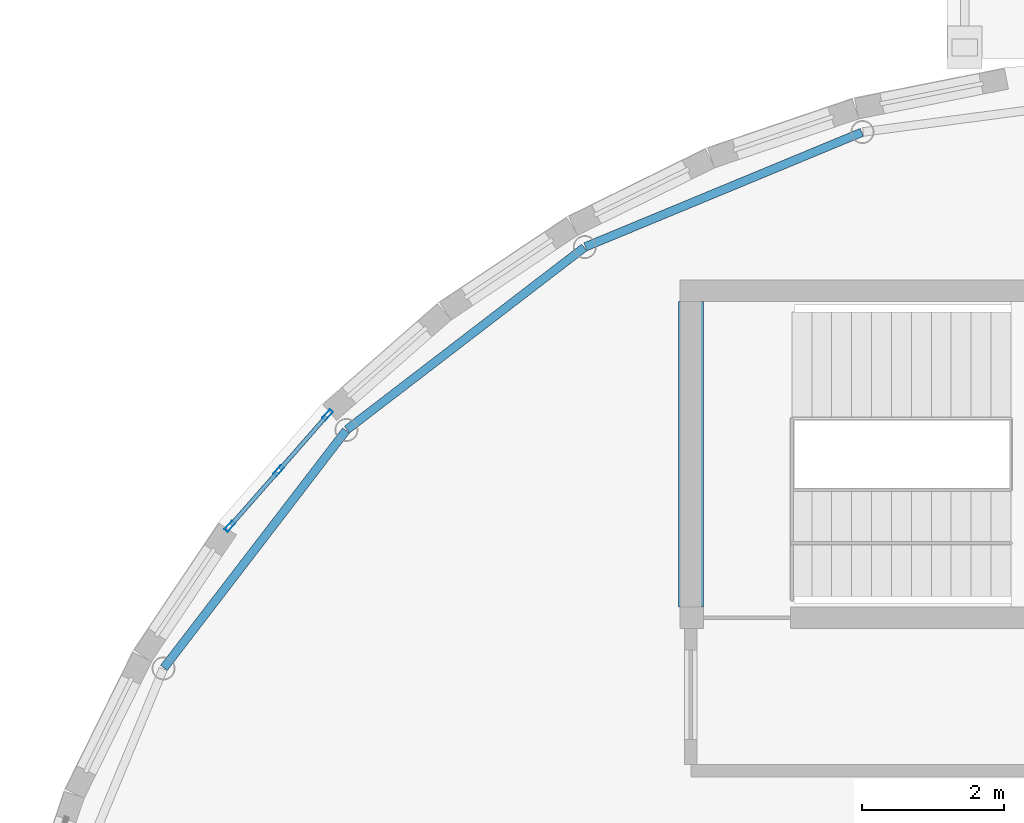
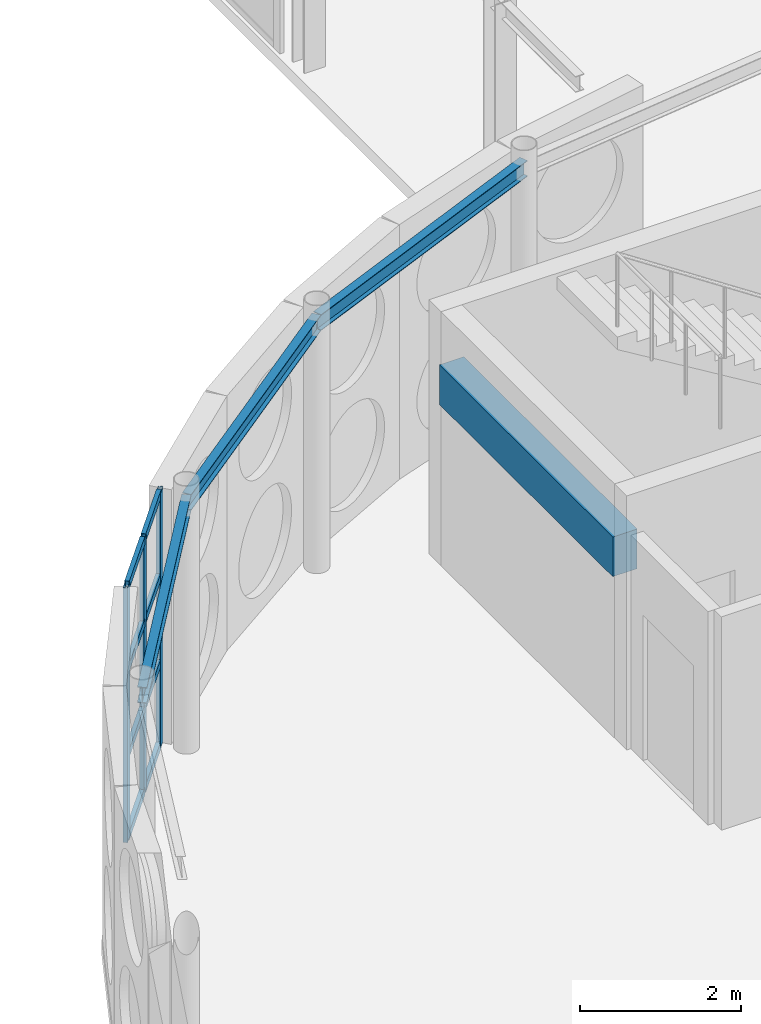
# One storey, part 52 of 189: 11 members, 4 beams, 1 element without a shape of its own.
"""IFC4 building model written with IfcOpenShell, lengths in metres."""

from ifc_helpers import new_model, si_unit, direction, frame, origin, origin_2d, place, context, subcontext, project, spatial, rectangle, hollow_rectangle, i_section, extrude, material, layer, layer_set, material_profile, profile_set, type_object, element, aggregate, save


model = new_model("IFC4")

# Units and contexts
model_context = context("Model", 3, precision=1e-05, world=origin(), true_north=direction((0.0, 1.0)))
body_context = subcontext(model_context, "Body", "Model", "MODEL_VIEW")
ifc_project = project(units=[si_unit("LENGTHUNIT", "METRE"), si_unit("AREAUNIT", "SQUARE_METRE"), si_unit("VOLUMEUNIT", "CUBIC_METRE"), si_unit("PLANEANGLEUNIT", "RADIAN"), si_unit("MASSUNIT", "GRAM", prefix="KILO")], contexts=[model_context])

# Site, building, storey
site_placement = place(None, origin())
site = spatial("IfcSite", under=ifc_project, at=site_placement, CompositionType="ELEMENT")
building_placement = place(site_placement, origin())
building = spatial("IfcBuilding", under=site, at=building_placement, Name="Montecoro Central Library", CompositionType="ELEMENT")
storey_placement = place(building_placement, frame((0.0, 0.0, 9.179931640625)))
storey = spatial("IfcBuildingStorey", under=building, at=storey_placement, Name="L02", CompositionType="ELEMENT", Elevation=9.179931640625)

# Beams
ifc_material_1 = material(Name="Concrete C35/45", Category="concrete")
ifc_material_profile_1 = material_profile(ifc_material_1, rectangle(XDim=0.35009765625, YDim=0.60009765625, at=origin_2d()), Name="RC LNT 600x350")
ifc_profile_set_1 = profile_set([ifc_material_profile_1], Name="Concrete C35/45")
beam_type_1 = type_object("IfcBeamType", Name="BM-LN-RC01", PredefinedType="LINTEL", material=ifc_profile_set_1)
beam_1_placement = place(storey_placement, frame((85.0, 44.35009765625, 2.75), z_axis=(0.0, 1.0, 0.0), x_axis=(-1.0, 0.0, 0.0)))
element("IfcBeam", 1, at=beam_1_placement, inside=storey, type_object=beam_type_1, Name="C1-L02-LNT", PredefinedType="LINTEL", context=body_context, shape_type="SweptSolid", body=[
    extrude(rectangle(XDim=0.35009765625, YDim=0.60009765625, at=origin_2d()), origin(), (0.0, 0.0, 1.0), 4.2998046875),
])
ifc_material_2 = material(Name="Steel S355", Category="steel")
ifc_material_profile_2 = material_profile(ifc_material_2, i_section(OverallWidth=0.1201171875, OverallDepth=0.239990234375, WebThickness=0.006103515625, FlangeThickness=0.009765625, at=origin_2d()), Name="IPE 240")
ifc_profile_set_2 = profile_set([ifc_material_profile_2], Name="Steel S355")
beam_type_2 = type_object("IfcBeamType", Name="BM-SP-IPE240", PredefinedType="SPANDREL", material=ifc_profile_set_2)
beam_2_placement = place(storey_placement, frame((87.403076171875, 51.02490234375, 3.705078125), z_axis=(-0.923873856706, -0.382697134684, 0.0), x_axis=(0.382697134684, -0.923873856706, 0.0)))
element("IfcBeam", 2, at=beam_2_placement, inside=storey, type_object=beam_type_2, Name="V1-L02-RING-08", PredefinedType="SPANDREL", context=body_context, shape_type="SweptSolid", body=[
    extrude(i_section(OverallWidth=0.1201171875, OverallDepth=0.239990234375, WebThickness=0.006103515625, FlangeThickness=0.009765625, at=origin_2d()), origin(), (0.0, 0.0, 1.0), 4.2041015625),
])
for number, where, z_axis, x_axis, name in (
    (3, (83.501953125, 49.406005859375, 3.705078125), (-0.793344551064, -0.608772883181, 0.0), (0.608772883181, -0.793344551064, 0.0), "V1-L02-RING-09"),
    (4, (80.153076171875, 46.8330078125, 3.705078125), (-0.608772883181, -0.793344551064, 0.0), (0.793344551064, -0.608772883181, 0.0), "V1-L02-RING-10"),
):
    element("IfcBeam", number, at=place(storey_placement, frame(where, z_axis=z_axis, x_axis=x_axis)), inside=storey, type_object=beam_type_2, Name=name, PredefinedType="SPANDREL", context=body_context, shape_type="SweptSolid", body=[
        extrude(i_section(OverallWidth=0.1201171875, OverallDepth=0.239990234375, WebThickness=0.006103515625, FlangeThickness=0.009765625, at=origin_2d()), origin(), (0.0, 0.0, 1.0), 4.20361328125),
    ])

# Curtain wall, members
ifc_material_3 = material(Name="Bronze-anodised aluminium and low-E glazing", Category="aluminium")
ifc_layer = layer(ifc_material_3, 0.159912109375)
ifc_layer_set = layer_set([ifc_layer], Name="Bronze-anodised aluminium and low-E glazing")
curtain_wall_type = type_object("IfcCurtainWallType", Name="CWT-004", PredefinedType="NOTDEFINED", material=ifc_layer_set)
curtain_wall_placement = place(storey_placement, origin())
curtain_wall = element("IfcCurtainWall", 5, at=curtain_wall_placement, inside=storey, type_object=curtain_wall_type, Name="V1-L02-CW-19", PredefinedType="NOTDEFINED")
ifc_material_4 = material(Name="Bronze-anodised aluminium", Category="aluminium")
ifc_material_profile_3 = material_profile(ifc_material_4, hollow_rectangle(XDim=0.06005859375, YDim=0.159912109375, WallThickness=0.00390625, at=origin_2d()), Name="CWM 160x60x4.0")
ifc_profile_set_3 = profile_set([ifc_material_profile_3], Name="Bronze-anodised aluminium")
member_type_1 = type_object("IfcMemberType", Name="CWM-BRZ-60", PredefinedType="MULLION", material=ifc_profile_set_3)
member_1_placement = place(storey_placement, frame((79.894287109375, 47.052490234375, 0.0), z_axis=(0.0, 0.0, 1.0), x_axis=(0.751536059457, -0.659692012485, 0.0)))
member_1 = element("IfcMember", 6, at=member_1_placement, type_object=member_type_1, Name="CW-004 mullion 1", PredefinedType="MULLION", context=body_context, shape_type="SweptSolid", body=[
    extrude(hollow_rectangle(XDim=0.06005859375, YDim=0.159912109375, WallThickness=0.00390625, at=origin_2d()), origin(), (0.0, 0.0, 1.0), 3.85498046875),
])
member_2_placement = place(storey_placement, frame((79.20654296875, 46.26904296875, 0.0), z_axis=(0.0, 0.0, 1.0), x_axis=(0.751536059457, -0.659692012485, 0.0)))
member_2 = element("IfcMember", 7, at=member_2_placement, type_object=member_type_1, Name="CW-004 mullion 2", PredefinedType="MULLION", context=body_context, shape_type="SweptSolid", body=[
    extrude(hollow_rectangle(XDim=0.06005859375, YDim=0.159912109375, WallThickness=0.00390625, at=origin_2d()), origin(), (0.0, 0.0, 1.0), 3.85498046875),
])
member_3_placement = place(storey_placement, frame((78.518798828125, 45.485595703125, 0.0), z_axis=(0.0, 0.0, 1.0), x_axis=(0.751536059457, -0.659692012485, 0.0)))
member_3 = element("IfcMember", 8, at=member_3_placement, type_object=member_type_1, Name="CW-004 mullion 3", PredefinedType="MULLION", context=body_context, shape_type="SweptSolid", body=[
    extrude(hollow_rectangle(XDim=0.06005859375, YDim=0.159912109375, WallThickness=0.00390625, at=origin_2d()), origin(), (0.0, 0.0, 1.0), 3.85498046875),
])
ifc_material_profile_4 = material_profile(ifc_material_4, hollow_rectangle(XDim=0.06005859375, YDim=0.1201171875, WallThickness=0.00390625, at=origin_2d()), Name="CWT 120x60x4.0")
ifc_profile_set_4 = profile_set([ifc_material_profile_4], Name="Bronze-anodised aluminium")
member_type_2 = type_object("IfcMemberType", Name="CWT-BRZ-60", PredefinedType="USERDEFINED", material=ifc_profile_set_4)
member_4_placement = place(storey_placement, frame((79.87451171875, 47.030029296875, 0.030029296875), z_axis=(-0.659647179219, -0.751575411351, 0.0), x_axis=(0.751575411351, -0.659647179219, 0.0)))
member_4 = element("IfcMember", 9, at=member_4_placement, type_object=member_type_2, Name="CW-004 transom 1.1", ObjectType="TRANSOM", PredefinedType="USERDEFINED", context=body_context, shape_type="SweptSolid", body=[
    extrude(hollow_rectangle(XDim=0.06005859375, YDim=0.1201171875, WallThickness=0.00390625, at=origin_2d()), origin(), (0.0, 0.0, 1.0), 0.982666015625),
])
member_5_placement = place(storey_placement, frame((79.87451171875, 47.030029296875, 1.280029296875), z_axis=(-0.659647179219, -0.751575411351, 0.0), x_axis=(0.751575411351, -0.659647179219, 0.0)))
member_5 = element("IfcMember", 10, at=member_5_placement, type_object=member_type_2, Name="CW-004 transom 1.2", ObjectType="TRANSOM", PredefinedType="USERDEFINED", context=body_context, shape_type="SweptSolid", body=[
    extrude(hollow_rectangle(XDim=0.06005859375, YDim=0.1201171875, WallThickness=0.00390625, at=origin_2d()), origin(), (0.0, 0.0, 1.0), 0.982666015625),
])
member_6_placement = place(storey_placement, frame((79.87451171875, 47.030029296875, 2.580078125), z_axis=(-0.659647179219, -0.751575411351, 0.0), x_axis=(0.751575411351, -0.659647179219, 0.0)))
member_6 = element("IfcMember", 11, at=member_6_placement, type_object=member_type_2, Name="CW-004 transom 1.3", ObjectType="TRANSOM", PredefinedType="USERDEFINED", context=body_context, shape_type="SweptSolid", body=[
    extrude(hollow_rectangle(XDim=0.06005859375, YDim=0.1201171875, WallThickness=0.00390625, at=origin_2d()), origin(), (0.0, 0.0, 1.0), 0.982666015625),
])
member_7_placement = place(storey_placement, frame((79.87451171875, 47.030029296875, 3.824951171875), z_axis=(-0.659647179219, -0.751575411351, 0.0), x_axis=(0.751575411351, -0.659647179219, 0.0)))
member_7 = element("IfcMember", 12, at=member_7_placement, type_object=member_type_2, Name="CW-004 transom 1.4", ObjectType="TRANSOM", PredefinedType="USERDEFINED", context=body_context, shape_type="SweptSolid", body=[
    extrude(hollow_rectangle(XDim=0.06005859375, YDim=0.1201171875, WallThickness=0.00390625, at=origin_2d()), origin(), (0.0, 0.0, 1.0), 0.982666015625),
])
member_8_placement = place(storey_placement, frame((79.186767578125, 46.246337890625, 0.030029296875), z_axis=(-0.659770370881, -0.751467269885, 0.0), x_axis=(0.751467269885, -0.659770370881, 0.0)))
member_8 = element("IfcMember", 13, at=member_8_placement, type_object=member_type_2, Name="CW-004 transom 2.1", ObjectType="TRANSOM", PredefinedType="USERDEFINED", context=body_context, shape_type="SweptSolid", body=[
    extrude(hollow_rectangle(XDim=0.06005859375, YDim=0.1201171875, WallThickness=0.00390625, at=origin_2d()), origin(), (0.0, 0.0, 1.0), 0.982421875),
])
member_9_placement = place(storey_placement, frame((79.186767578125, 46.246337890625, 1.280029296875), z_axis=(-0.659770370881, -0.751467269885, 0.0), x_axis=(0.751467269885, -0.659770370881, 0.0)))
member_9 = element("IfcMember", 14, at=member_9_placement, type_object=member_type_2, Name="CW-004 transom 2.2", ObjectType="TRANSOM", PredefinedType="USERDEFINED", context=body_context, shape_type="SweptSolid", body=[
    extrude(hollow_rectangle(XDim=0.06005859375, YDim=0.1201171875, WallThickness=0.00390625, at=origin_2d()), origin(), (0.0, 0.0, 1.0), 0.982421875),
])
member_10_placement = place(storey_placement, frame((79.186767578125, 46.246337890625, 2.580078125), z_axis=(-0.659770370881, -0.751467269885, 0.0), x_axis=(0.751467269885, -0.659770370881, 0.0)))
member_10 = element("IfcMember", 15, at=member_10_placement, type_object=member_type_2, Name="CW-004 transom 2.3", ObjectType="TRANSOM", PredefinedType="USERDEFINED", context=body_context, shape_type="SweptSolid", body=[
    extrude(hollow_rectangle(XDim=0.06005859375, YDim=0.1201171875, WallThickness=0.00390625, at=origin_2d()), origin(), (0.0, 0.0, 1.0), 0.982421875),
])
member_11_placement = place(storey_placement, frame((79.186767578125, 46.246337890625, 3.824951171875), z_axis=(-0.659770370881, -0.751467269885, 0.0), x_axis=(0.751467269885, -0.659770370881, 0.0)))
member_11 = element("IfcMember", 16, at=member_11_placement, type_object=member_type_2, Name="CW-004 transom 2.4", ObjectType="TRANSOM", PredefinedType="USERDEFINED", context=body_context, shape_type="SweptSolid", body=[
    extrude(hollow_rectangle(XDim=0.06005859375, YDim=0.1201171875, WallThickness=0.00390625, at=origin_2d()), origin(), (0.0, 0.0, 1.0), 0.982421875),
])
aggregate(curtain_wall, [member_1, member_2, member_3, member_4, member_5, member_6, member_7, member_8, member_9, member_10, member_11])

save(model, "model.ifc")
